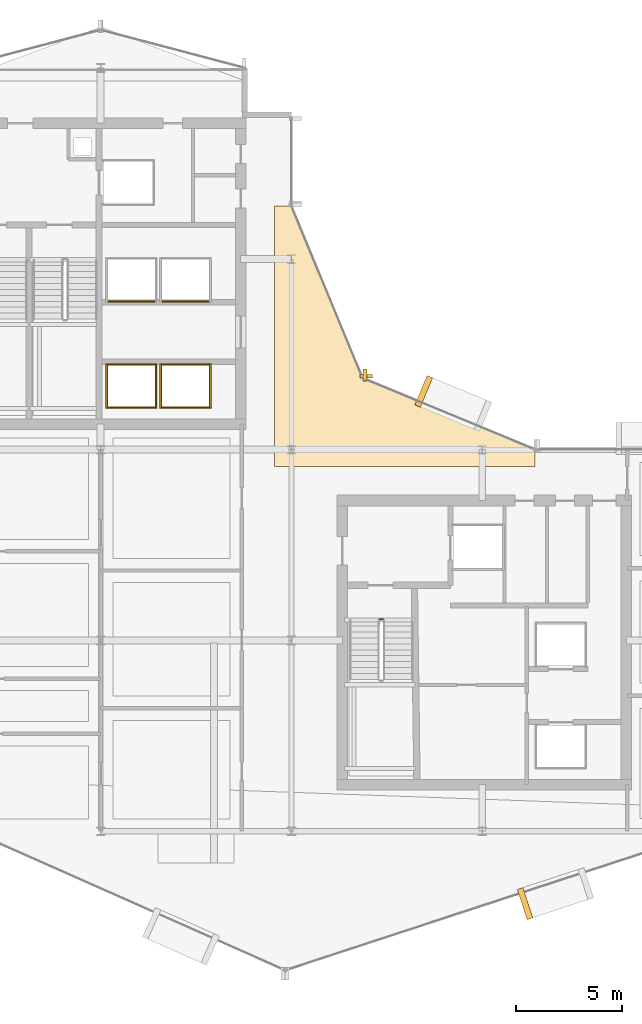
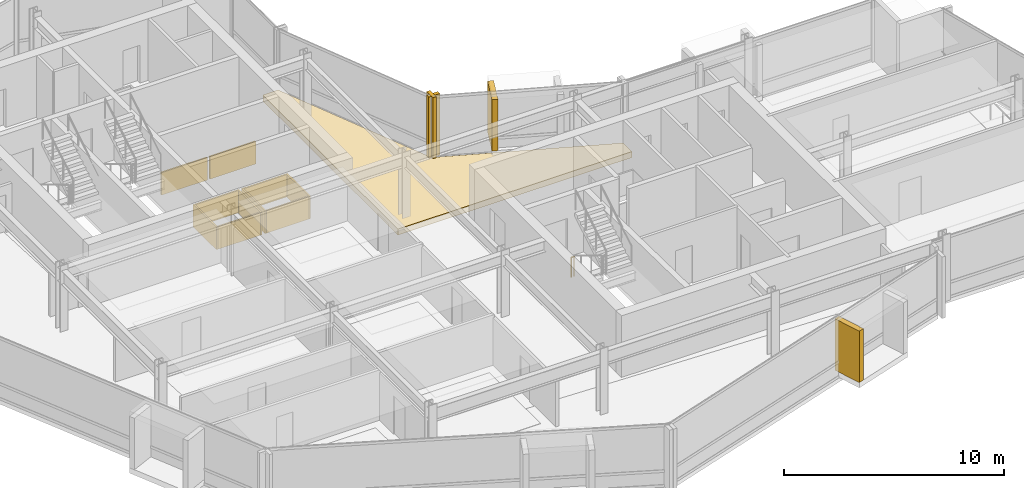
# One storey, part 25 of 27: 15 coverings, 1 railing.
"""IFC4 building model written with IfcOpenShell, lengths in metres."""

from ifc_helpers import new_model, si_unit, direction, frame, origin, origin_2d, place, context, subcontext, project, spatial, polyline, rectangle, circle, outline, extrude, material, layer, layer_set, type_object, element, save


model = new_model("IFC4")

# Units and contexts
model_context = context("Model", 3, precision=1e-05, world=origin(), true_north=direction((0.0, 1.0)))
body_context = subcontext(model_context, "Body", "Model", "MODEL_VIEW")
ifc_project = project(units=[si_unit("LENGTHUNIT", "METRE"), si_unit("AREAUNIT", "SQUARE_METRE"), si_unit("VOLUMEUNIT", "CUBIC_METRE"), si_unit("PLANEANGLEUNIT", "RADIAN"), si_unit("MASSUNIT", "GRAM", prefix="KILO")], contexts=[model_context])

# Site, building, storey
site_placement = place(None, origin())
site = spatial("IfcSite", under=ifc_project, at=site_placement, CompositionType="ELEMENT")
building_placement = place(site_placement, origin())
building = spatial("IfcBuilding", under=site, at=building_placement, Name="Solvaryn Broadcast Tower", CompositionType="ELEMENT")
storey_placement = place(building_placement, frame((0.0, 0.0, 174.199951171875)))
storey = spatial("IfcBuildingStorey", under=building, at=storey_placement, Name="L43", CompositionType="ELEMENT", Elevation=174.199951171875)

# Coverings
ifc_material_1 = material(Name="Fire-Rated Gypsum Shaftwall Liner", Category="concrete")
ifc_layer_1 = layer(ifc_material_1, 0.080078125)
ifc_layer_set_1 = layer_set([ifc_layer_1], Name="CV-SHAFT-LINER")
covering_type_1 = type_object("IfcCoveringType", Name="CV-SHAFT-LINER", PredefinedType="CLADDING", material=ifc_layer_set_1)
for number, where, z_axis, x_axis, name in (
    (1, (19.449951171875, 31.014892578125, 0.0), (0.0, 0.0, 1.0), (1.0, 0.0, 0.0), "L43 PH1 Hoistway Shaft Liner North"),
    (2, (19.449951171875, 28.985107421875, 0.0), (0.0, 0.0, 1.0), (1.0, 0.0, 0.0), "L43 PH1 Hoistway Shaft Liner South"),
):
    element("IfcCovering", number, at=place(storey_placement, frame(where, z_axis=z_axis, x_axis=x_axis)), inside=storey, type_object=covering_type_1, Name=name, PredefinedType="CLADDING", context=body_context, shape_type="SweptSolid", body=[
        extrude(rectangle(XDim=2.409912109375, YDim=0.080078125, at=origin_2d()), origin(), (0.0, 0.0, 1.0), 1.25),
    ])
for number, where, z_axis, x_axis, name in (
    (3, (20.614990234375, 30.0, 0.0), (0.0, 0.0, 1.0), (1.0, 0.0, 0.0), "L43 PH1 Hoistway Shaft Liner East"),
    (4, (18.284912109375, 30.0, 0.0), (0.0, 0.0, 1.0), (1.0, 0.0, 0.0), "L43 PH1 Hoistway Shaft Liner West"),
):
    element("IfcCovering", number, at=place(storey_placement, frame(where, z_axis=z_axis, x_axis=x_axis)), inside=storey, type_object=covering_type_1, Name=name, PredefinedType="CLADDING", context=body_context, shape_type="SweptSolid", body=[
        extrude(rectangle(XDim=0.080078125, YDim=2.110107421875, at=origin_2d()), origin(), (0.0, 0.0, 1.0), 1.25),
    ])
for number, where, z_axis, x_axis, name in (
    (5, (22.0, 31.014892578125, 0.0), (0.0, 0.0, 1.0), (1.0, 0.0, 0.0), "L43 PH2 Hoistway Shaft Liner North"),
    (6, (22.0, 28.985107421875, 0.0), (0.0, 0.0, 1.0), (1.0, 0.0, 0.0), "L43 PH2 Hoistway Shaft Liner South"),
):
    element("IfcCovering", number, at=place(storey_placement, frame(where, z_axis=z_axis, x_axis=x_axis)), inside=storey, type_object=covering_type_1, Name=name, PredefinedType="CLADDING", context=body_context, shape_type="SweptSolid", body=[
        extrude(rectangle(XDim=2.409912109375, YDim=0.080078125, at=origin_2d()), origin(), (0.0, 0.0, 1.0), 1.25),
    ])
for number, where, z_axis, x_axis, name in (
    (7, (23.1650390625, 30.0, 0.0), (0.0, 0.0, 1.0), (1.0, 0.0, 0.0), "L43 PH2 Hoistway Shaft Liner East"),
    (8, (20.8349609375, 30.0, 0.0), (0.0, 0.0, 1.0), (1.0, 0.0, 0.0), "L43 PH2 Hoistway Shaft Liner West"),
):
    element("IfcCovering", number, at=place(storey_placement, frame(where, z_axis=z_axis, x_axis=x_axis)), inside=storey, type_object=covering_type_1, Name=name, PredefinedType="CLADDING", context=body_context, shape_type="SweptSolid", body=[
        extrude(rectangle(XDim=0.080078125, YDim=2.110107421875, at=origin_2d()), origin(), (0.0, 0.0, 1.0), 1.25),
    ])
for number, where, z_axis, x_axis, name in (
    (9, (19.449951171875, 33.985107421875, 0.0), (0.0, 0.0, 1.0), (1.0, 0.0, 0.0), "L43 PH3 Hoistway Shaft Liner South"),
    (10, (22.0, 33.985107421875, 0.0), (0.0, 0.0, 1.0), (1.0, 0.0, 0.0), "L43 PH4 Hoistway Shaft Liner South"),
):
    element("IfcCovering", number, at=place(storey_placement, frame(where, z_axis=z_axis, x_axis=x_axis)), inside=storey, type_object=covering_type_1, Name=name, PredefinedType="CLADDING", context=body_context, shape_type="SweptSolid", body=[
        extrude(rectangle(XDim=2.409912109375, YDim=0.080078125, at=origin_2d()), origin(), (0.0, 0.0, 1.0), 1.25),
    ])
ifc_material_2 = material(Name="Glazed Architectural Terracotta Rainscreen Cladding", Category="masonry")
ifc_layer_2 = layer(ifc_material_2, 0.280029296875)
ifc_layer_set_2 = layer_set([ifc_layer_2], Name="CV-TC-CLAD")
covering_type_2 = type_object("IfcCoveringType", Name="CV-TC-CLAD", PredefinedType="CLADDING", material=ifc_layer_set_2)
for number, where, z_axis, x_axis, name in (
    (11, (38.01904296875, 5.584716796875, 0.27978515625), (0.0, 0.0, 1.0), (0.950244253402, 0.311505792684, 0.0), "L43 Projecting Stone Window Box Cheek 4-1"),
    (12, (33.241943359375, 29.751953125, 0.27978515625), (0.0, 0.0, 1.0), (-0.923879532511, 0.382683432365, 0.0), "L43 Projecting Stone Window Box Cheek 5-2"),
):
    element("IfcCovering", number, at=place(storey_placement, frame(where, z_axis=z_axis, x_axis=x_axis)), inside=storey, type_object=covering_type_2, Name=name, PredefinedType="CLADDING", context=body_context, shape_type="SweptSolid", body=[
        extrude(rectangle(XDim=0.280029296875, YDim=1.5, at=origin_2d()), origin(), (0.0, 0.0, 1.0), 2.860107421875),
    ])
ifc_material_3 = material(Name="Extruded Architectural Terracotta Fin", Category="masonry")
ifc_layer_3 = layer(ifc_material_3, 0.179931640625)
ifc_layer_set_3 = layer_set([ifc_layer_3], Name="CV-TC-FIN")
covering_type_3 = type_object("IfcCoveringType", Name="CV-TC-FIN", PredefinedType="USERDEFINED", material=ifc_layer_set_3)
covering_1_placement = place(storey_placement, frame((30.464599609375, 30.52294921875, 0.0), z_axis=(0.0, 0.0, 1.0), x_axis=(1.0, 0.0, 0.0)))
element("IfcCovering", 13, at=covering_1_placement, inside=storey, type_object=covering_type_3, Name="L43 Terracotta Vertical Fin FIN-L43-CN1-M01", ObjectType="FIN", PredefinedType="USERDEFINED", context=body_context, shape_type="SweptSolid", body=[
    extrude(rectangle(XDim=0.179931640625, YDim=0.580078125, at=origin_2d()), origin(), (0.0, 0.0, 1.0), 3.419921875),
])
covering_2_placement = place(storey_placement, frame((30.52294921875, 30.464599609375, 0.0), z_axis=(0.0, 0.0, 1.0), x_axis=(1.0, 0.0, 0.0)))
element("IfcCovering", 14, at=covering_2_placement, inside=storey, type_object=covering_type_3, Name="L43 Terracotta Vertical Fin FIN-L43-CN2-M00", ObjectType="FIN", PredefinedType="USERDEFINED", context=body_context, shape_type="SweptSolid", body=[
    extrude(rectangle(XDim=0.580078125, YDim=0.179931640625, at=origin_2d()), origin(), (0.0, 0.0, 1.0), 3.419921875),
])
ifc_material_4 = material(Name="Sculpted Architectural Terracotta Wave Fascia", Category="masonry")
ifc_layer_4 = layer(ifc_material_4, 0.340087890625)
ifc_layer_set_4 = layer_set([ifc_layer_4], Name="CV-WAVE-TRAY")
covering_type_4 = type_object("IfcCoveringType", Name="CV-WAVE-TRAY", PredefinedType="CLADDING", material=ifc_layer_set_4)
covering_3_placement = place(storey_placement, frame((0.0, 0.0, -0.300048828125)))
element("IfcCovering", 15, at=covering_3_placement, inside=storey, type_object=covering_type_4, Name="L43 Concave Canyon Floor Apron", PredefinedType="CLADDING", context=body_context, shape_type="SweptSolid", body=[
    extrude(outline(polyline([(26.199951171875, 26.199951171875), (38.5, 26.199951171875), (38.5, 27.0), (30.367919921875, 30.367919921875), (27.0, 38.5), (26.199951171875, 38.5), (26.199951171875, 26.199951171875)])), origin(), (0.0, 0.0, 1.0), 0.330078125),
])

# Railing
ifc_material_5 = material(Name="Painted Steel Stair Well Guard", Category="steel")
railing_type = type_object("IfcRailingType", Name="RL-STAIR-GUARD", PredefinedType="BALUSTRADE", material=ifc_material_5)
railing_placement = place(storey_placement, frame((31.159912109375, 19.010009765625, 0.0)))
element("IfcRailing", 16, at=railing_placement, inside=storey, type_object=railing_type, Name="L43 ST3 stair guard 4", PredefinedType="BALUSTRADE", context=body_context, shape_type="SweptSolid", body=[
    extrude(circle(Radius=0.02392578125, at=origin_2d()), frame((0.0, 0.0, 1.076171875), z_axis=(1.0, 0.0, 0.0), x_axis=(0.0, 1.0, 0.0)), (0.0, 0.0, 1.0), 0.150146484375),
    extrude(circle(Radius=0.02099609375, at=origin_2d()), origin(), (0.0, 0.0, 1.0), 1.052001953125),
    extrude(circle(Radius=0.02099609375, at=origin_2d()), frame((0.150146484375, 0.0, 0.0)), (0.0, 0.0, 1.0), 1.052001953125),
])

save(model, "model.ifc")
